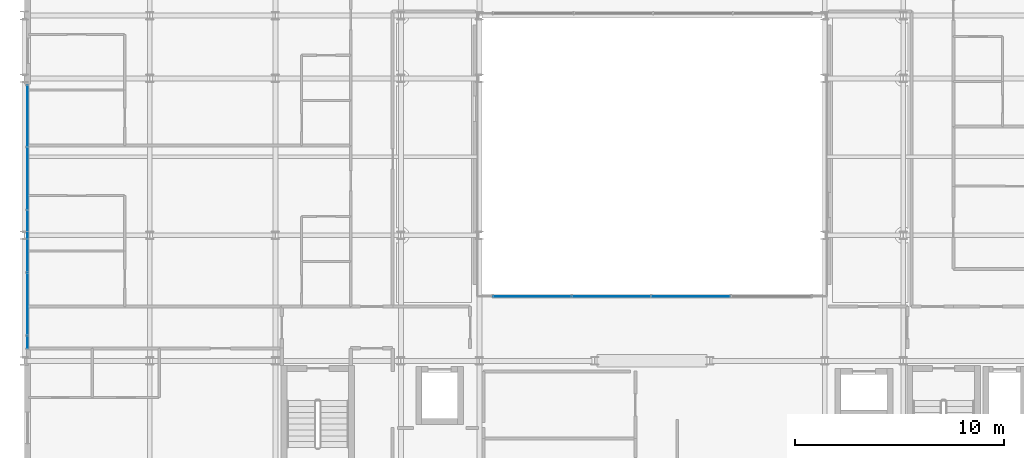
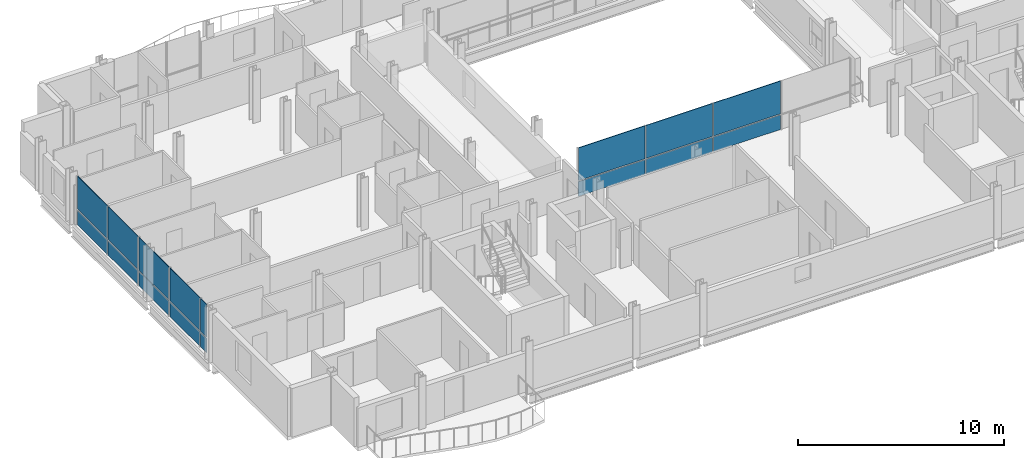
# One storey, part 28 of 41: 16 plates, 2 elements without a shape of their own.
"""IFC4 building model written with IfcOpenShell, lengths in metres."""

from ifc_helpers import new_model, si_unit, direction, frame, origin, origin_2d, place, context, subcontext, project, spatial, rectangle, extrude, material, layer, layer_set, type_object, element, aggregate, save


model = new_model("IFC4")

# Units and contexts
model_context = context("Model", 3, precision=1e-05, world=origin(), true_north=direction((0.0, 1.0)))
body_context = subcontext(model_context, "Body", "Model", "MODEL_VIEW")
ifc_project = project(units=[si_unit("LENGTHUNIT", "METRE"), si_unit("AREAUNIT", "SQUARE_METRE"), si_unit("VOLUMEUNIT", "CUBIC_METRE"), si_unit("PLANEANGLEUNIT", "RADIAN"), si_unit("MASSUNIT", "GRAM", prefix="KILO")], contexts=[model_context])

# Site, building, storey
site_placement = place(None, origin())
site = spatial("IfcSite", under=ifc_project, at=site_placement, CompositionType="ELEMENT")
building_placement = place(site_placement, origin())
building = spatial("IfcBuilding", under=site, at=building_placement, Name="Brevholm Reach", CompositionType="ELEMENT")
storey_placement = place(building_placement, frame((0.0, 0.0, 138.699951171875)))
storey = spatial("IfcBuildingStorey", under=building, at=storey_placement, Name="L41", CompositionType="ELEMENT", Elevation=138.699951171875)

# Curtain wall, plates
ifc_material_1 = material(Name="Dark Anodised Aluminium 6063-T6 and Solar-Control Glass", Category="aluminium")
ifc_layer_1 = layer(ifc_material_1, 0.14990234375)
ifc_layer_set_1 = layer_set([ifc_layer_1], Name="Dark Anodised Aluminium 6063-T6 and Solar-Control Glass")
curtain_wall_type_1 = type_object("IfcCurtainWallType", Name="CW-01", PredefinedType="NOTDEFINED", material=ifc_layer_set_1)
curtain_wall_1_placement = place(storey_placement, origin())
curtain_wall_1 = element("IfcCurtainWall", 1, at=curtain_wall_1_placement, inside=storey, type_object=curtain_wall_type_1, Name="L41 Curtain Wall CW-01", PredefinedType="NOTDEFINED")
ifc_material_2 = material(Name="Dark Solar-Control Double-Glazed IGU Glass", Category="glass")
ifc_layer_2 = layer(ifc_material_2, 0.028076171875)
ifc_layer_set_2 = layer_set([ifc_layer_2], Name="Dark Solar-Control Double-Glazed IGU Glass")
plate_type_1 = type_object("IfcPlateType", Name="CWP-GLZ-28", PredefinedType="CURTAIN_PANEL", material=ifc_layer_set_2)
plate_1_placement = place(storey_placement, frame((0.14990234375, 21.703857421875, 0.0), z_axis=(0.0, 0.0, 1.0), x_axis=(0.0, -1.0, 0.0)))
plate_1 = element("IfcPlate", 2, at=plate_1_placement, type_object=plate_type_1, Name="CP-01 Glazing Panel 1.1", PredefinedType="CURTAIN_PANEL", context=body_context, shape_type="SweptSolid", body=[
    extrude(rectangle(XDim=2.902587890625, YDim=0.028076171875, at=origin_2d()), origin(), (0.0, 0.0, 1.0), 0.867431640625),
])
plate_2_placement = place(storey_placement, frame((0.14990234375, 21.703857421875, 0.9326171875), z_axis=(0.0, 0.0, 1.0), x_axis=(0.0, -1.0, 0.0)))
plate_2 = element("IfcPlate", 3, at=plate_2_placement, type_object=plate_type_1, Name="CP-01 Glazing Panel 1.2", PredefinedType="CURTAIN_PANEL", context=body_context, shape_type="SweptSolid", body=[
    extrude(rectangle(XDim=2.902587890625, YDim=0.028076171875, at=origin_2d()), origin(), (0.0, 0.0, 1.0), 1.947509765625),
])
plate_3_placement = place(storey_placement, frame((0.14990234375, 18.719970703125, 0.0), z_axis=(0.0, 0.0, 1.0), x_axis=(0.0, -1.0, 0.0)))
plate_3 = element("IfcPlate", 4, at=plate_3_placement, type_object=plate_type_1, Name="CP-01 Glazing Panel 2.1", PredefinedType="CURTAIN_PANEL", context=body_context, shape_type="SweptSolid", body=[
    extrude(rectangle(XDim=2.93505859375, YDim=0.028076171875, at=origin_2d()), origin(), (0.0, 0.0, 1.0), 0.867431640625),
])
plate_4_placement = place(storey_placement, frame((0.14990234375, 18.719970703125, 0.9326171875), z_axis=(0.0, 0.0, 1.0), x_axis=(0.0, -1.0, 0.0)))
plate_4 = element("IfcPlate", 5, at=plate_4_placement, type_object=plate_type_1, Name="CP-01 Glazing Panel 2.2", PredefinedType="CURTAIN_PANEL", context=body_context, shape_type="SweptSolid", body=[
    extrude(rectangle(XDim=2.93505859375, YDim=0.028076171875, at=origin_2d()), origin(), (0.0, 0.0, 1.0), 1.947509765625),
])
plate_5_placement = place(storey_placement, frame((0.14990234375, 15.719970703125, 0.0), z_axis=(0.0, 0.0, 1.0), x_axis=(0.0, -1.0, 0.0)))
plate_5 = element("IfcPlate", 6, at=plate_5_placement, type_object=plate_type_1, Name="CP-01 Glazing Panel 3.1", PredefinedType="CURTAIN_PANEL", context=body_context, shape_type="SweptSolid", body=[
    extrude(rectangle(XDim=2.93505859375, YDim=0.028076171875, at=origin_2d()), origin(), (0.0, 0.0, 1.0), 0.867431640625),
])
plate_6_placement = place(storey_placement, frame((0.14990234375, 15.719970703125, 0.9326171875), z_axis=(0.0, 0.0, 1.0), x_axis=(0.0, -1.0, 0.0)))
plate_6 = element("IfcPlate", 7, at=plate_6_placement, type_object=plate_type_1, Name="CP-01 Glazing Panel 3.2", PredefinedType="CURTAIN_PANEL", context=body_context, shape_type="SweptSolid", body=[
    extrude(rectangle(XDim=2.93505859375, YDim=0.028076171875, at=origin_2d()), origin(), (0.0, 0.0, 1.0), 1.947509765625),
])
plate_7_placement = place(storey_placement, frame((0.14990234375, 12.719970703125, 0.0), z_axis=(0.0, 0.0, 1.0), x_axis=(0.0, -1.0, 0.0)))
plate_7 = element("IfcPlate", 8, at=plate_7_placement, type_object=plate_type_1, Name="CP-01 Glazing Panel 4.1", PredefinedType="CURTAIN_PANEL", context=body_context, shape_type="SweptSolid", body=[
    extrude(rectangle(XDim=2.93505859375, YDim=0.028076171875, at=origin_2d()), origin(), (0.0, 0.0, 1.0), 0.867431640625),
])
plate_8_placement = place(storey_placement, frame((0.14990234375, 12.719970703125, 0.9326171875), z_axis=(0.0, 0.0, 1.0), x_axis=(0.0, -1.0, 0.0)))
plate_8 = element("IfcPlate", 9, at=plate_8_placement, type_object=plate_type_1, Name="CP-01 Glazing Panel 4.2", PredefinedType="CURTAIN_PANEL", context=body_context, shape_type="SweptSolid", body=[
    extrude(rectangle(XDim=2.93505859375, YDim=0.028076171875, at=origin_2d()), origin(), (0.0, 0.0, 1.0), 1.947509765625),
])
plate_9_placement = place(storey_placement, frame((0.14990234375, 10.9013671875, 0.0), z_axis=(0.0, 0.0, 1.0), x_axis=(0.0, -1.0, 0.0)))
plate_9 = element("IfcPlate", 10, at=plate_9_placement, type_object=plate_type_1, Name="CP-01 Glazing Panel 5.1", PredefinedType="CURTAIN_PANEL", context=body_context, shape_type="SweptSolid", body=[
    extrude(rectangle(XDim=0.572509765625, YDim=0.028076171875, at=origin_2d()), origin(), (0.0, 0.0, 1.0), 0.867431640625),
])
plate_10_placement = place(storey_placement, frame((0.14990234375, 10.9013671875, 0.9326171875), z_axis=(0.0, 0.0, 1.0), x_axis=(0.0, -1.0, 0.0)))
plate_10 = element("IfcPlate", 11, at=plate_10_placement, type_object=plate_type_1, Name="CP-01 Glazing Panel 5.2", PredefinedType="CURTAIN_PANEL", context=body_context, shape_type="SweptSolid", body=[
    extrude(rectangle(XDim=0.572509765625, YDim=0.028076171875, at=origin_2d()), origin(), (0.0, 0.0, 1.0), 1.947509765625),
])
aggregate(curtain_wall_1, [plate_1, plate_2, plate_3, plate_4, plate_5, plate_6, plate_7, plate_8, plate_9, plate_10])

ifc_material_3 = material(Name="Dark Anodised Aluminium 6063-T6 and Solar-Control Glass", Category="aluminium")
ifc_layer_3 = layer(ifc_material_3, 0.139892578125)
ifc_layer_set_3 = layer_set([ifc_layer_3], Name="Dark Anodised Aluminium 6063-T6 and Solar-Control Glass")
curtain_wall_type_2 = type_object("IfcCurtainWallType", Name="CW-02", PredefinedType="NOTDEFINED", material=ifc_layer_set_3)
curtain_wall_2_placement = place(storey_placement, origin())
curtain_wall_2 = element("IfcCurtainWall", 12, at=curtain_wall_2_placement, inside=storey, type_object=curtain_wall_type_2, Name="L41 Curtain Wall CW-02", PredefinedType="NOTDEFINED")
ifc_material_4 = material(Name="Low-Iron Laminated Acoustic Glass", Category="glass")
ifc_layer_4 = layer(ifc_material_4, 0.035888671875)
ifc_layer_set_4 = layer_set([ifc_layer_4], Name="Low-Iron Laminated Acoustic Glass")
plate_type_2 = type_object("IfcPlateType", Name="CWP-GLZ-36", PredefinedType="CURTAIN_PANEL", material=ifc_layer_set_4)
plate_11_placement = place(storey_placement, frame((24.264892578125, 13.080078125, 0.0), z_axis=(0.0, 0.0, 1.0), x_axis=(1.0, 0.0, 0.0)))
plate_11 = element("IfcPlate", 13, at=plate_11_placement, type_object=plate_type_2, Name="CP-02 Glazing Panel 1.1", PredefinedType="CURTAIN_PANEL", context=body_context, shape_type="SweptSolid", body=[
    extrude(rectangle(XDim=3.7099609375, YDim=0.035888671875, at=origin_2d()), origin(), (0.0, 0.0, 1.0), 0.8701171875),
])
plate_12_placement = place(storey_placement, frame((24.264892578125, 13.080078125, 0.93017578125), z_axis=(0.0, 0.0, 1.0), x_axis=(1.0, 0.0, 0.0)))
plate_12 = element("IfcPlate", 14, at=plate_12_placement, type_object=plate_type_2, Name="CP-02 Glazing Panel 1.2", PredefinedType="CURTAIN_PANEL", context=body_context, shape_type="SweptSolid", body=[
    extrude(rectangle(XDim=3.7099609375, YDim=0.035888671875, at=origin_2d()), origin(), (0.0, 0.0, 1.0), 1.949951171875),
])
plate_13_placement = place(storey_placement, frame((28.050048828125, 13.080078125, 0.0), z_axis=(0.0, 0.0, 1.0), x_axis=(1.0, 0.0, 0.0)))
plate_13 = element("IfcPlate", 15, at=plate_13_placement, type_object=plate_type_2, Name="CP-02 Glazing Panel 2.1", PredefinedType="CURTAIN_PANEL", context=body_context, shape_type="SweptSolid", body=[
    extrude(rectangle(XDim=3.739990234375, YDim=0.035888671875, at=origin_2d()), origin(), (0.0, 0.0, 1.0), 0.8701171875),
])
plate_14_placement = place(storey_placement, frame((28.050048828125, 13.080078125, 0.93017578125), z_axis=(0.0, 0.0, 1.0), x_axis=(1.0, 0.0, 0.0)))
plate_14 = element("IfcPlate", 16, at=plate_14_placement, type_object=plate_type_2, Name="CP-02 Glazing Panel 2.2", PredefinedType="CURTAIN_PANEL", context=body_context, shape_type="SweptSolid", body=[
    extrude(rectangle(XDim=3.739990234375, YDim=0.035888671875, at=origin_2d()), origin(), (0.0, 0.0, 1.0), 1.949951171875),
])
plate_15_placement = place(storey_placement, frame((31.85009765625, 13.080078125, 0.0), z_axis=(0.0, 0.0, 1.0), x_axis=(1.0, 0.0, 0.0)))
plate_15 = element("IfcPlate", 17, at=plate_15_placement, type_object=plate_type_2, Name="CP-02 Glazing Panel 3.1", PredefinedType="CURTAIN_PANEL", context=body_context, shape_type="SweptSolid", body=[
    extrude(rectangle(XDim=3.739990234375, YDim=0.035888671875, at=origin_2d()), origin(), (0.0, 0.0, 1.0), 0.8701171875),
])
plate_16_placement = place(storey_placement, frame((31.85009765625, 13.080078125, 0.93017578125), z_axis=(0.0, 0.0, 1.0), x_axis=(1.0, 0.0, 0.0)))
plate_16 = element("IfcPlate", 18, at=plate_16_placement, type_object=plate_type_2, Name="CP-02 Glazing Panel 3.2", PredefinedType="CURTAIN_PANEL", context=body_context, shape_type="SweptSolid", body=[
    extrude(rectangle(XDim=3.739990234375, YDim=0.035888671875, at=origin_2d()), origin(), (0.0, 0.0, 1.0), 1.949951171875),
])
aggregate(curtain_wall_2, [plate_11, plate_12, plate_13, plate_14, plate_15, plate_16])

save(model, "model.ifc")
